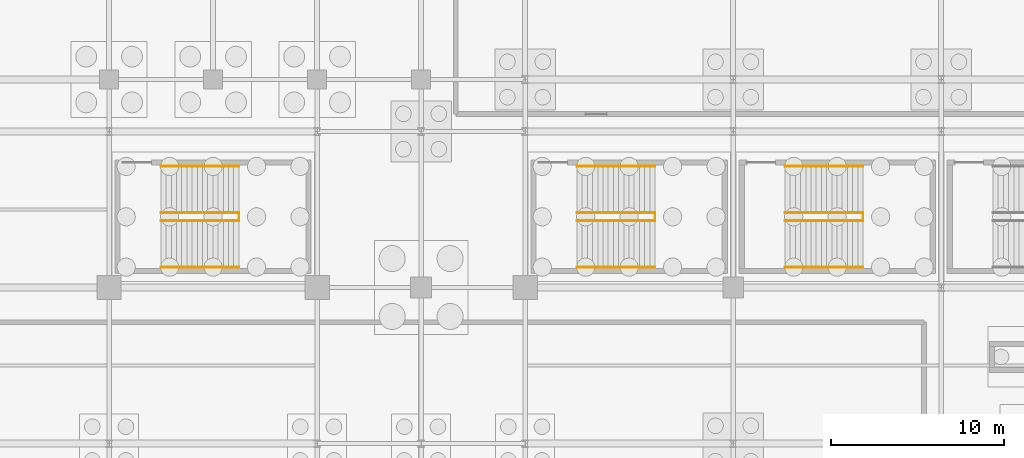
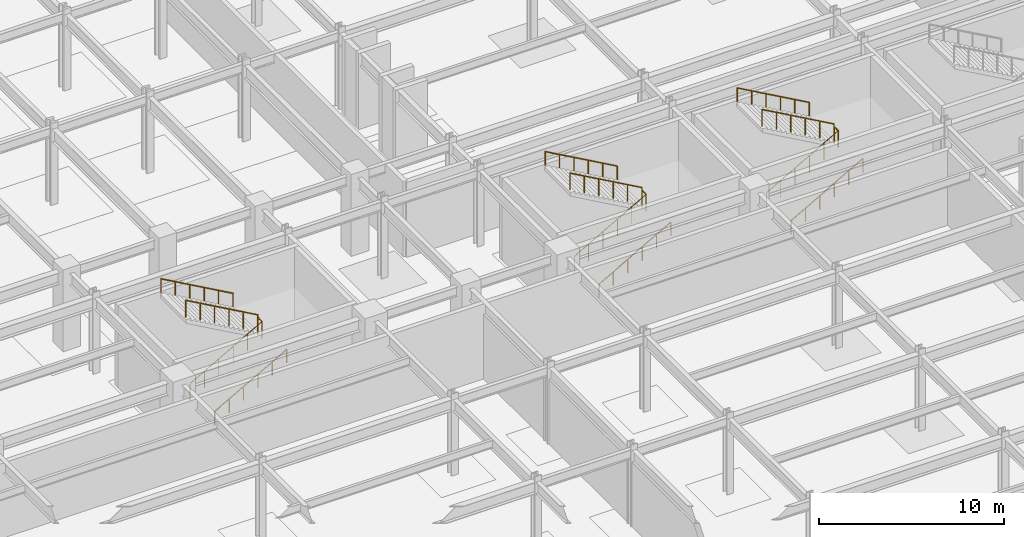
# One storey, part 43 of 47: 15 railings.
"""IFC4 building model written with IfcOpenShell, lengths in metres."""

from ifc_helpers import new_model, si_unit, direction, frame, origin, origin_2d, place, context, subcontext, project, spatial, circle, extrude, material, type_object, element, save


model = new_model("IFC4")

# Units and contexts
model_context = context("Model", 3, precision=1e-05, world=origin(), true_north=direction((0.0, 1.0)))
body_context = subcontext(model_context, "Body", "Model", "MODEL_VIEW")
ifc_project = project(units=[si_unit("LENGTHUNIT", "METRE"), si_unit("AREAUNIT", "SQUARE_METRE"), si_unit("VOLUMEUNIT", "CUBIC_METRE"), si_unit("PLANEANGLEUNIT", "RADIAN"), si_unit("MASSUNIT", "GRAM", prefix="KILO")], contexts=[model_context])

# Site, building, storey
site_placement = place(None, origin())
site = spatial("IfcSite", under=ifc_project, at=site_placement, CompositionType="ELEMENT")
building_placement = place(site_placement, origin())
building = spatial("IfcBuilding", under=site, at=building_placement, Name="Kaldorvane Square Convention Centre", CompositionType="ELEMENT")
storey_placement = place(building_placement, frame((0.0, 0.0, -5.399993896484375)))
storey = spatial("IfcBuildingStorey", under=building, at=storey_placement, Name="B01", CompositionType="ELEMENT", Elevation=-5.399993896484375)

# Railings
ifc_material = material(Name="Architectural Painted Steel", Category="steel")
railing_type_1 = type_object("IfcRailingType", Name="RL-GUARD-1120", PredefinedType="BALUSTRADE", material=ifc_material)
railing_1_placement = place(storey_placement, frame((85.49000549316406, 75.86000061035156, 2.6999969482421875)))
element("IfcRailing", 1, at=railing_1_placement, inside=storey, type_object=railing_type_1, Name="Convention Exit Stair C15 Half-Landing Guard (B01)", PredefinedType="BALUSTRADE", context=body_context, shape_type="SweptSolid", body=[
    extrude(circle(Radius=0.0240020751953125, at=origin_2d()), frame((0.0, 0.0, 1.0959930419921875), z_axis=(0.0, 1.0, 0.0), x_axis=(-1.0, 0.0, 0.0)), (0.0, 0.0, 1.0), 0.44000244140625),
    extrude(circle(Radius=0.02099609375, at=origin_2d()), origin(), (0.0, 0.0, 1.0), 1.071990966796875),
    extrude(circle(Radius=0.02099609375, at=origin_2d()), frame((0.0, 0.44000244140625, 0.0)), (0.0, 0.0, 1.0), 1.071990966796875),
])
railing_2_placement = place(storey_placement, frame((80.99000549316406, 75.85000610351562, 0.1687469482421875)))
element("IfcRailing", 2, at=railing_2_placement, inside=storey, type_object=railing_type_1, Name="Convention Exit Stair C15 Flight 1 Guard (B01)", PredefinedType="BALUSTRADE", context=body_context, shape_type="SweptSolid", body=[
    extrude(circle(Radius=0.0240020751953125, at=origin_2d()), frame((0.0, 0.0, 1.0959930419921875), z_axis=(0.871575537125, 0.0, 0.490261239633), x_axis=(0.0, 1.0, 0.0)), (0.0, 0.0, 1.0), 5.1630706787109375),
    extrude(circle(Radius=0.02099609375, at=origin_2d()), origin(), (0.0, 0.0, 1.0), 1.071990966796875),
    extrude(circle(Radius=0.02099609375, at=origin_2d()), frame((0.899993896484375, 0.0, 0.506256103515625)), (0.0, 0.0, 1.0), 1.071990966796875),
    extrude(circle(Radius=0.02099609375, at=origin_2d()), frame((1.8000030517578125, 0.0, 1.0124969482421875)), (0.0, 0.0, 1.0), 1.071990966796875),
    extrude(circle(Radius=0.02099609375, at=origin_2d()), frame((2.6999969482421875, 0.0, 1.5187530517578125)), (0.0, 0.0, 1.0), 1.071990966796875),
    extrude(circle(Radius=0.02099609375, at=origin_2d()), frame((3.600006103515625, 0.0, 2.024993896484375)), (0.0, 0.0, 1.0), 1.071990966796875),
    extrude(circle(Radius=0.02099609375, at=origin_2d()), frame((4.5, 0.0, 2.53125)), (0.0, 0.0, 1.0), 1.071990966796875),
])
railing_3_placement = place(storey_placement, frame((85.49000549316406, 76.30999755859375, 2.868743896484375)))
element("IfcRailing", 3, at=railing_3_placement, inside=storey, type_object=railing_type_1, Name="Convention Exit Stair C15 Flight 2 Guard (B01)", PredefinedType="BALUSTRADE", context=body_context, shape_type="SweptSolid", body=[
    extrude(circle(Radius=0.0240020751953125, at=origin_2d()), frame((0.0, 0.0, 1.0959930419921875), z_axis=(-0.871575537125, 0.0, 0.490261239633), x_axis=(0.0, -1.0, 0.0)), (0.0, 0.0, 1.0), 5.1630706787109375),
    extrude(circle(Radius=0.02099609375, at=origin_2d()), origin(), (0.0, 0.0, 1.0), 1.071990966796875),
    extrude(circle(Radius=0.02099609375, at=origin_2d()), frame((-0.899993896484375, 0.0, 0.506256103515625)), (0.0, 0.0, 1.0), 1.071990966796875),
    extrude(circle(Radius=0.02099609375, at=origin_2d()), frame((-1.8000030517578125, 0.0, 1.0124969482421875)), (0.0, 0.0, 1.0), 1.071990966796875),
    extrude(circle(Radius=0.02099609375, at=origin_2d()), frame((-2.6999969482421875, 0.0, 1.5187530517578125)), (0.0, 0.0, 1.0), 1.071990966796875),
    extrude(circle(Radius=0.02099609375, at=origin_2d()), frame((-3.600006103515625, 0.0, 2.024993896484375)), (0.0, 0.0, 1.0), 1.071990966796875),
    extrude(circle(Radius=0.02099609375, at=origin_2d()), frame((-4.5, 0.0, 2.53125)), (0.0, 0.0, 1.0), 1.071990966796875),
])
railing_4_placement = place(storey_placement, frame((109.49000549316406, 75.86000061035156, 2.6999969482421875)))
element("IfcRailing", 4, at=railing_4_placement, inside=storey, type_object=railing_type_1, Name="Convention Exit Stair C16 Half-Landing Guard (B01)", PredefinedType="BALUSTRADE", context=body_context, shape_type="SweptSolid", body=[
    extrude(circle(Radius=0.0240020751953125, at=origin_2d()), frame((0.0, 0.0, 1.0959930419921875), z_axis=(0.0, 1.0, 0.0), x_axis=(-1.0, 0.0, 0.0)), (0.0, 0.0, 1.0), 0.44000244140625),
    extrude(circle(Radius=0.02099609375, at=origin_2d()), origin(), (0.0, 0.0, 1.0), 1.071990966796875),
    extrude(circle(Radius=0.02099609375, at=origin_2d()), frame((0.0, 0.44000244140625, 0.0)), (0.0, 0.0, 1.0), 1.071990966796875),
])
railing_5_placement = place(storey_placement, frame((104.99000549316406, 75.85000610351562, 0.1687469482421875)))
element("IfcRailing", 5, at=railing_5_placement, inside=storey, type_object=railing_type_1, Name="Convention Exit Stair C16 Flight 1 Guard (B01)", PredefinedType="BALUSTRADE", context=body_context, shape_type="SweptSolid", body=[
    extrude(circle(Radius=0.0240020751953125, at=origin_2d()), frame((0.0, 0.0, 1.0959930419921875), z_axis=(0.871575537125, 0.0, 0.490261239633), x_axis=(0.0, 1.0, 0.0)), (0.0, 0.0, 1.0), 5.1630706787109375),
    extrude(circle(Radius=0.02099609375, at=origin_2d()), origin(), (0.0, 0.0, 1.0), 1.071990966796875),
    extrude(circle(Radius=0.02099609375, at=origin_2d()), frame((0.899993896484375, 0.0, 0.506256103515625)), (0.0, 0.0, 1.0), 1.071990966796875),
    extrude(circle(Radius=0.02099609375, at=origin_2d()), frame((1.8000030517578125, 0.0, 1.0124969482421875)), (0.0, 0.0, 1.0), 1.071990966796875),
    extrude(circle(Radius=0.02099609375, at=origin_2d()), frame((2.6999969482421875, 0.0, 1.5187530517578125)), (0.0, 0.0, 1.0), 1.071990966796875),
    extrude(circle(Radius=0.02099609375, at=origin_2d()), frame((3.600006103515625, 0.0, 2.024993896484375)), (0.0, 0.0, 1.0), 1.071990966796875),
    extrude(circle(Radius=0.02099609375, at=origin_2d()), frame((4.5, 0.0, 2.53125)), (0.0, 0.0, 1.0), 1.071990966796875),
])
railing_6_placement = place(storey_placement, frame((109.49000549316406, 76.30999755859375, 2.868743896484375)))
element("IfcRailing", 6, at=railing_6_placement, inside=storey, type_object=railing_type_1, Name="Convention Exit Stair C16 Flight 2 Guard (B01)", PredefinedType="BALUSTRADE", context=body_context, shape_type="SweptSolid", body=[
    extrude(circle(Radius=0.0240020751953125, at=origin_2d()), frame((0.0, 0.0, 1.0959930419921875), z_axis=(-0.871575537125, 0.0, 0.490261239633), x_axis=(0.0, -1.0, 0.0)), (0.0, 0.0, 1.0), 5.1630706787109375),
    extrude(circle(Radius=0.02099609375, at=origin_2d()), origin(), (0.0, 0.0, 1.0), 1.071990966796875),
    extrude(circle(Radius=0.02099609375, at=origin_2d()), frame((-0.899993896484375, 0.0, 0.506256103515625)), (0.0, 0.0, 1.0), 1.071990966796875),
    extrude(circle(Radius=0.02099609375, at=origin_2d()), frame((-1.8000030517578125, 0.0, 1.0124969482421875)), (0.0, 0.0, 1.0), 1.071990966796875),
    extrude(circle(Radius=0.02099609375, at=origin_2d()), frame((-2.6999969482421875, 0.0, 1.5187530517578125)), (0.0, 0.0, 1.0), 1.071990966796875),
    extrude(circle(Radius=0.02099609375, at=origin_2d()), frame((-3.600006103515625, 0.0, 2.024993896484375)), (0.0, 0.0, 1.0), 1.071990966796875),
    extrude(circle(Radius=0.02099609375, at=origin_2d()), frame((-4.5, 0.0, 2.53125)), (0.0, 0.0, 1.0), 1.071990966796875),
])
railing_7_placement = place(storey_placement, frame((121.49000549316406, 75.86000061035156, 2.6999969482421875)))
element("IfcRailing", 7, at=railing_7_placement, inside=storey, type_object=railing_type_1, Name="Convention Exit Stair C17 Half-Landing Guard (B01)", PredefinedType="BALUSTRADE", context=body_context, shape_type="SweptSolid", body=[
    extrude(circle(Radius=0.0240020751953125, at=origin_2d()), frame((0.0, 0.0, 1.0959930419921875), z_axis=(0.0, 1.0, 0.0), x_axis=(-1.0, 0.0, 0.0)), (0.0, 0.0, 1.0), 0.44000244140625),
    extrude(circle(Radius=0.02099609375, at=origin_2d()), origin(), (0.0, 0.0, 1.0), 1.071990966796875),
    extrude(circle(Radius=0.02099609375, at=origin_2d()), frame((0.0, 0.44000244140625, 0.0)), (0.0, 0.0, 1.0), 1.071990966796875),
])
railing_8_placement = place(storey_placement, frame((116.99000549316406, 75.85000610351562, 0.1687469482421875)))
element("IfcRailing", 8, at=railing_8_placement, inside=storey, type_object=railing_type_1, Name="Convention Exit Stair C17 Flight 1 Guard (B01)", PredefinedType="BALUSTRADE", context=body_context, shape_type="SweptSolid", body=[
    extrude(circle(Radius=0.0240020751953125, at=origin_2d()), frame((0.0, 0.0, 1.0959930419921875), z_axis=(0.871575537125, 0.0, 0.490261239633), x_axis=(0.0, 1.0, 0.0)), (0.0, 0.0, 1.0), 5.1630706787109375),
    extrude(circle(Radius=0.02099609375, at=origin_2d()), origin(), (0.0, 0.0, 1.0), 1.071990966796875),
    extrude(circle(Radius=0.02099609375, at=origin_2d()), frame((0.899993896484375, 0.0, 0.506256103515625)), (0.0, 0.0, 1.0), 1.071990966796875),
    extrude(circle(Radius=0.02099609375, at=origin_2d()), frame((1.8000030517578125, 0.0, 1.0124969482421875)), (0.0, 0.0, 1.0), 1.071990966796875),
    extrude(circle(Radius=0.02099609375, at=origin_2d()), frame((2.6999969482421875, 0.0, 1.5187530517578125)), (0.0, 0.0, 1.0), 1.071990966796875),
    extrude(circle(Radius=0.02099609375, at=origin_2d()), frame((3.600006103515625, 0.0, 2.024993896484375)), (0.0, 0.0, 1.0), 1.071990966796875),
    extrude(circle(Radius=0.02099609375, at=origin_2d()), frame((4.5, 0.0, 2.53125)), (0.0, 0.0, 1.0), 1.071990966796875),
])
railing_9_placement = place(storey_placement, frame((121.49000549316406, 76.30999755859375, 2.868743896484375)))
element("IfcRailing", 9, at=railing_9_placement, inside=storey, type_object=railing_type_1, Name="Convention Exit Stair C17 Flight 2 Guard (B01)", PredefinedType="BALUSTRADE", context=body_context, shape_type="SweptSolid", body=[
    extrude(circle(Radius=0.0240020751953125, at=origin_2d()), frame((0.0, 0.0, 1.0959930419921875), z_axis=(-0.871575537125, 0.0, 0.490261239633), x_axis=(0.0, -1.0, 0.0)), (0.0, 0.0, 1.0), 5.1630706787109375),
    extrude(circle(Radius=0.02099609375, at=origin_2d()), origin(), (0.0, 0.0, 1.0), 1.071990966796875),
    extrude(circle(Radius=0.02099609375, at=origin_2d()), frame((-0.899993896484375, 0.0, 0.506256103515625)), (0.0, 0.0, 1.0), 1.071990966796875),
    extrude(circle(Radius=0.02099609375, at=origin_2d()), frame((-1.8000030517578125, 0.0, 1.0124969482421875)), (0.0, 0.0, 1.0), 1.071990966796875),
    extrude(circle(Radius=0.02099609375, at=origin_2d()), frame((-2.6999969482421875, 0.0, 1.5187530517578125)), (0.0, 0.0, 1.0), 1.071990966796875),
    extrude(circle(Radius=0.02099609375, at=origin_2d()), frame((-3.600006103515625, 0.0, 2.024993896484375)), (0.0, 0.0, 1.0), 1.071990966796875),
    extrude(circle(Radius=0.02099609375, at=origin_2d()), frame((-4.5, 0.0, 2.53125)), (0.0, 0.0, 1.0), 1.071990966796875),
])
railing_type_2 = type_object("IfcRailingType", Name="RL-HAND-915", PredefinedType="HANDRAIL", material=ifc_material)
railing_10_placement = place(storey_placement, frame((80.99000549316406, 73.16999816894531, 0.1687469482421875)))
element("IfcRailing", 10, at=railing_10_placement, inside=storey, type_object=railing_type_2, Name="Convention Exit Stair C15 Wall Handrail 1 (B01)", PredefinedType="HANDRAIL", context=body_context, shape_type="SweptSolid", body=[
    extrude(circle(Radius=0.0240020751953125, at=origin_2d()), frame((0.0, 0.0, 0.8909912109375), z_axis=(0.871575537125, 0.0, 0.490261239633), x_axis=(0.0, 1.0, 0.0)), (0.0, 0.0, 1.0), 5.1630706787109375),
    extrude(circle(Radius=0.02099609375, at=origin_2d()), origin(), (0.0, 0.0, 1.0), 0.8669891357421875),
    extrude(circle(Radius=0.02099609375, at=origin_2d()), frame((0.899993896484375, 0.0, 0.506256103515625)), (0.0, 0.0, 1.0), 0.8669891357421875),
    extrude(circle(Radius=0.02099609375, at=origin_2d()), frame((1.8000030517578125, 0.0, 1.0124969482421875)), (0.0, 0.0, 1.0), 0.8669891357421875),
    extrude(circle(Radius=0.02099609375, at=origin_2d()), frame((2.6999969482421875, 0.0, 1.5187530517578125)), (0.0, 0.0, 1.0), 0.8669891357421875),
    extrude(circle(Radius=0.02099609375, at=origin_2d()), frame((3.600006103515625, 0.0, 2.024993896484375)), (0.0, 0.0, 1.0), 0.8669891357421875),
    extrude(circle(Radius=0.02099609375, at=origin_2d()), frame((4.5, 0.0, 2.53125)), (0.0, 0.0, 1.0), 0.8669891357421875),
])
railing_11_placement = place(storey_placement, frame((85.49000549316406, 78.99000549316406, 2.868743896484375)))
element("IfcRailing", 11, at=railing_11_placement, inside=storey, type_object=railing_type_2, Name="Convention Exit Stair C15 Wall Handrail 2 (B01)", PredefinedType="HANDRAIL", context=body_context, shape_type="SweptSolid", body=[
    extrude(circle(Radius=0.0240020751953125, at=origin_2d()), frame((0.0, 0.0, 0.8909912109375), z_axis=(-0.871575537125, 0.0, 0.490261239633), x_axis=(0.0, -1.0, 0.0)), (0.0, 0.0, 1.0), 5.1630706787109375),
    extrude(circle(Radius=0.02099609375, at=origin_2d()), origin(), (0.0, 0.0, 1.0), 0.8669891357421875),
    extrude(circle(Radius=0.02099609375, at=origin_2d()), frame((-0.899993896484375, 0.0, 0.506256103515625)), (0.0, 0.0, 1.0), 0.8669891357421875),
    extrude(circle(Radius=0.02099609375, at=origin_2d()), frame((-1.8000030517578125, 0.0, 1.0124969482421875)), (0.0, 0.0, 1.0), 0.8669891357421875),
    extrude(circle(Radius=0.02099609375, at=origin_2d()), frame((-2.6999969482421875, 0.0, 1.5187530517578125)), (0.0, 0.0, 1.0), 0.8669891357421875),
    extrude(circle(Radius=0.02099609375, at=origin_2d()), frame((-3.600006103515625, 0.0, 2.024993896484375)), (0.0, 0.0, 1.0), 0.8669891357421875),
    extrude(circle(Radius=0.02099609375, at=origin_2d()), frame((-4.5, 0.0, 2.53125)), (0.0, 0.0, 1.0), 0.8669891357421875),
])
railing_12_placement = place(storey_placement, frame((104.99000549316406, 73.16999816894531, 0.1687469482421875)))
element("IfcRailing", 12, at=railing_12_placement, inside=storey, type_object=railing_type_2, Name="Convention Exit Stair C16 Wall Handrail 1 (B01)", PredefinedType="HANDRAIL", context=body_context, shape_type="SweptSolid", body=[
    extrude(circle(Radius=0.0240020751953125, at=origin_2d()), frame((0.0, 0.0, 0.8909912109375), z_axis=(0.871575537125, 0.0, 0.490261239633), x_axis=(0.0, 1.0, 0.0)), (0.0, 0.0, 1.0), 5.1630706787109375),
    extrude(circle(Radius=0.02099609375, at=origin_2d()), origin(), (0.0, 0.0, 1.0), 0.8669891357421875),
    extrude(circle(Radius=0.02099609375, at=origin_2d()), frame((0.899993896484375, 0.0, 0.506256103515625)), (0.0, 0.0, 1.0), 0.8669891357421875),
    extrude(circle(Radius=0.02099609375, at=origin_2d()), frame((1.8000030517578125, 0.0, 1.0124969482421875)), (0.0, 0.0, 1.0), 0.8669891357421875),
    extrude(circle(Radius=0.02099609375, at=origin_2d()), frame((2.6999969482421875, 0.0, 1.5187530517578125)), (0.0, 0.0, 1.0), 0.8669891357421875),
    extrude(circle(Radius=0.02099609375, at=origin_2d()), frame((3.600006103515625, 0.0, 2.024993896484375)), (0.0, 0.0, 1.0), 0.8669891357421875),
    extrude(circle(Radius=0.02099609375, at=origin_2d()), frame((4.5, 0.0, 2.53125)), (0.0, 0.0, 1.0), 0.8669891357421875),
])
railing_13_placement = place(storey_placement, frame((109.49000549316406, 78.99000549316406, 2.868743896484375)))
element("IfcRailing", 13, at=railing_13_placement, inside=storey, type_object=railing_type_2, Name="Convention Exit Stair C16 Wall Handrail 2 (B01)", PredefinedType="HANDRAIL", context=body_context, shape_type="SweptSolid", body=[
    extrude(circle(Radius=0.0240020751953125, at=origin_2d()), frame((0.0, 0.0, 0.8909912109375), z_axis=(-0.871575537125, 0.0, 0.490261239633), x_axis=(0.0, -1.0, 0.0)), (0.0, 0.0, 1.0), 5.1630706787109375),
    extrude(circle(Radius=0.02099609375, at=origin_2d()), origin(), (0.0, 0.0, 1.0), 0.8669891357421875),
    extrude(circle(Radius=0.02099609375, at=origin_2d()), frame((-0.899993896484375, 0.0, 0.506256103515625)), (0.0, 0.0, 1.0), 0.8669891357421875),
    extrude(circle(Radius=0.02099609375, at=origin_2d()), frame((-1.8000030517578125, 0.0, 1.0124969482421875)), (0.0, 0.0, 1.0), 0.8669891357421875),
    extrude(circle(Radius=0.02099609375, at=origin_2d()), frame((-2.6999969482421875, 0.0, 1.5187530517578125)), (0.0, 0.0, 1.0), 0.8669891357421875),
    extrude(circle(Radius=0.02099609375, at=origin_2d()), frame((-3.600006103515625, 0.0, 2.024993896484375)), (0.0, 0.0, 1.0), 0.8669891357421875),
    extrude(circle(Radius=0.02099609375, at=origin_2d()), frame((-4.5, 0.0, 2.53125)), (0.0, 0.0, 1.0), 0.8669891357421875),
])
railing_14_placement = place(storey_placement, frame((116.99000549316406, 73.16999816894531, 0.1687469482421875)))
element("IfcRailing", 14, at=railing_14_placement, inside=storey, type_object=railing_type_2, Name="Convention Exit Stair C17 Wall Handrail 1 (B01)", PredefinedType="HANDRAIL", context=body_context, shape_type="SweptSolid", body=[
    extrude(circle(Radius=0.0240020751953125, at=origin_2d()), frame((0.0, 0.0, 0.8909912109375), z_axis=(0.871575537125, 0.0, 0.490261239633), x_axis=(0.0, 1.0, 0.0)), (0.0, 0.0, 1.0), 5.1630706787109375),
    extrude(circle(Radius=0.02099609375, at=origin_2d()), origin(), (0.0, 0.0, 1.0), 0.8669891357421875),
    extrude(circle(Radius=0.02099609375, at=origin_2d()), frame((0.899993896484375, 0.0, 0.506256103515625)), (0.0, 0.0, 1.0), 0.8669891357421875),
    extrude(circle(Radius=0.02099609375, at=origin_2d()), frame((1.8000030517578125, 0.0, 1.0124969482421875)), (0.0, 0.0, 1.0), 0.8669891357421875),
    extrude(circle(Radius=0.02099609375, at=origin_2d()), frame((2.6999969482421875, 0.0, 1.5187530517578125)), (0.0, 0.0, 1.0), 0.8669891357421875),
    extrude(circle(Radius=0.02099609375, at=origin_2d()), frame((3.600006103515625, 0.0, 2.024993896484375)), (0.0, 0.0, 1.0), 0.8669891357421875),
    extrude(circle(Radius=0.02099609375, at=origin_2d()), frame((4.5, 0.0, 2.53125)), (0.0, 0.0, 1.0), 0.8669891357421875),
])
railing_15_placement = place(storey_placement, frame((121.49000549316406, 78.99000549316406, 2.868743896484375)))
element("IfcRailing", 15, at=railing_15_placement, inside=storey, type_object=railing_type_2, Name="Convention Exit Stair C17 Wall Handrail 2 (B01)", PredefinedType="HANDRAIL", context=body_context, shape_type="SweptSolid", body=[
    extrude(circle(Radius=0.0240020751953125, at=origin_2d()), frame((0.0, 0.0, 0.8909912109375), z_axis=(-0.871575537125, 0.0, 0.490261239633), x_axis=(0.0, -1.0, 0.0)), (0.0, 0.0, 1.0), 5.1630706787109375),
    extrude(circle(Radius=0.02099609375, at=origin_2d()), origin(), (0.0, 0.0, 1.0), 0.8669891357421875),
    extrude(circle(Radius=0.02099609375, at=origin_2d()), frame((-0.899993896484375, 0.0, 0.506256103515625)), (0.0, 0.0, 1.0), 0.8669891357421875),
    extrude(circle(Radius=0.02099609375, at=origin_2d()), frame((-1.8000030517578125, 0.0, 1.0124969482421875)), (0.0, 0.0, 1.0), 0.8669891357421875),
    extrude(circle(Radius=0.02099609375, at=origin_2d()), frame((-2.6999969482421875, 0.0, 1.5187530517578125)), (0.0, 0.0, 1.0), 0.8669891357421875),
    extrude(circle(Radius=0.02099609375, at=origin_2d()), frame((-3.600006103515625, 0.0, 2.024993896484375)), (0.0, 0.0, 1.0), 0.8669891357421875),
    extrude(circle(Radius=0.02099609375, at=origin_2d()), frame((-4.5, 0.0, 2.53125)), (0.0, 0.0, 1.0), 0.8669891357421875),
])

save(model, "model.ifc")
